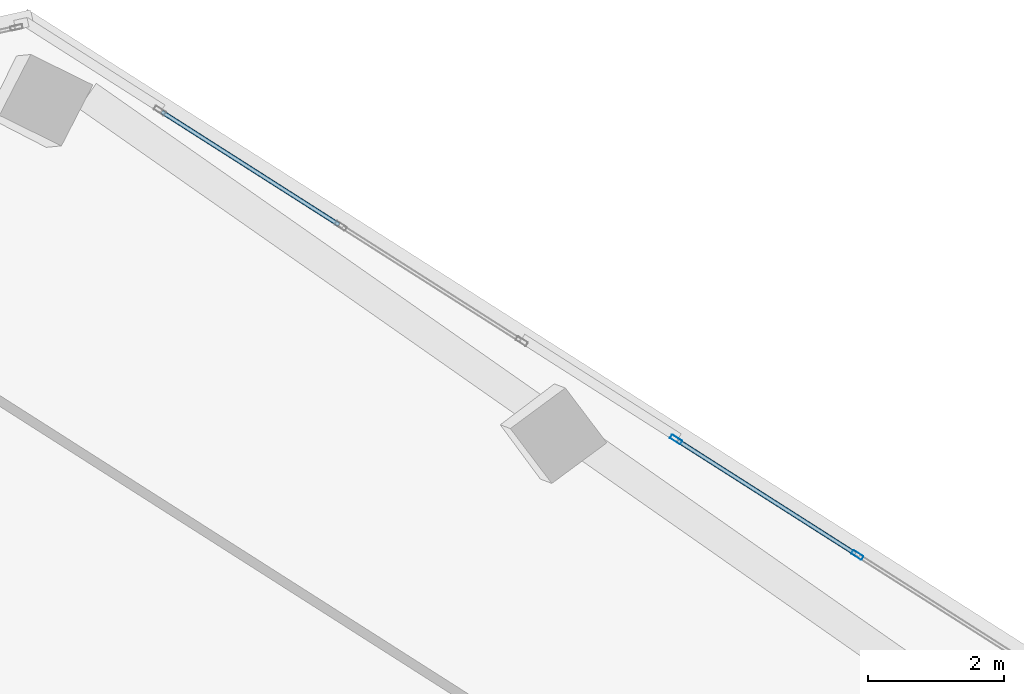
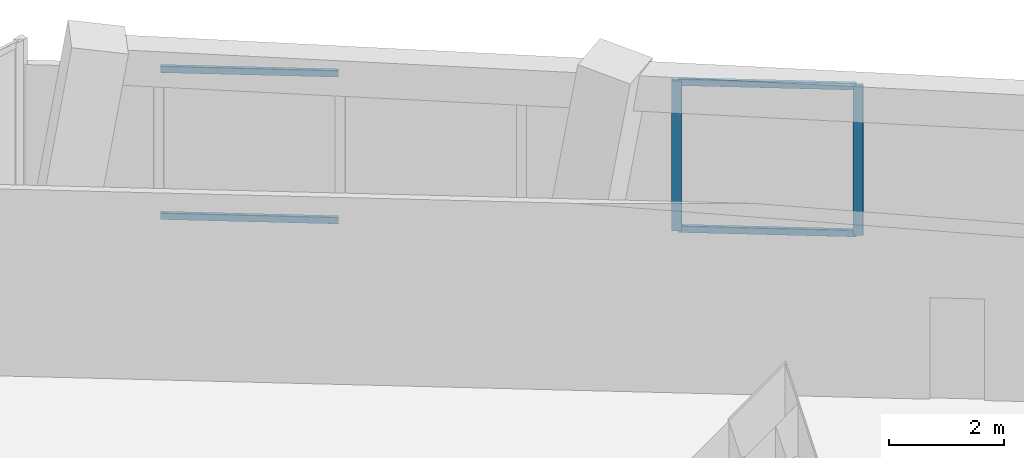
# One storey, part 14 of 24: 6 members, 2 elements without a shape of their own.
"""IFC4 building model written with IfcOpenShell, lengths in metres."""

from ifc_helpers import new_model, si_unit, direction, frame, origin, origin_2d, place, context, subcontext, project, spatial, hollow_rectangle, extrude, source, transform, mapped, material, material_profile, profile_set, type_object, element, aggregate, save


model = new_model("IFC4")

# Units and contexts
model_context = context("Model", 3, precision=1e-05, world=origin(), true_north=direction((0.0, 1.0)))
body_context = subcontext(model_context, "Body", "Model", "MODEL_VIEW")
ifc_project = project(units=[si_unit("LENGTHUNIT", "METRE"), si_unit("AREAUNIT", "SQUARE_METRE"), si_unit("VOLUMEUNIT", "CUBIC_METRE"), si_unit("PLANEANGLEUNIT", "RADIAN"), si_unit("MASSUNIT", "GRAM", prefix="KILO")], contexts=[model_context])

# Site, building, storey
site_placement = place(None, origin())
site = spatial("IfcSite", under=ifc_project, at=site_placement, CompositionType="ELEMENT")
building_placement = place(site_placement, origin())
building = spatial("IfcBuilding", under=site, at=building_placement, Name="Torre Montelarca", CompositionType="ELEMENT")
storey_placement = place(building_placement, frame((0.0, 0.0, 191.800048828125)))
storey = spatial("IfcBuildingStorey", under=building, at=storey_placement, Name="L43", CompositionType="ELEMENT", Elevation=191.800048828125)

# Curtain wall, members
ifc_material_1 = material(Name="Insulated low-E laminated glass", Category="glass")
curtain_wall_type = type_object("IfcCurtainWallType", Name="CW-SYS-Z2", PredefinedType="USERDEFINED", material=ifc_material_1)
curtain_wall_1_placement = place(storey_placement, origin())
curtain_wall_1 = element("IfcCurtainWall", 1, at=curtain_wall_1_placement, inside=storey, type_object=curtain_wall_type, Name="L43 Curtain Wall Run CW-T3-L43-E08-B3", ObjectType="UNITISED GLAZING", PredefinedType="USERDEFINED")
ifc_material_2 = material(Name="Anodised aluminium AA 6063-T6", Category="aluminium")
ifc_material_profile_1 = material_profile(ifc_material_2, hollow_rectangle(XDim=0.06494140625, YDim=0.179931640625, WallThickness=0.00390625, InnerFilletRadius=0.00390625, OuterFilletRadius=0.008056640625, at=origin_2d()), Name="ALU65X180X4", Category="aluminium")
ifc_profile_set_1 = profile_set([ifc_material_profile_1], Name="Anodised aluminium AA 6063-T6")
member_type_1 = type_object("IfcMemberType", Name="CWM-ALU180", PredefinedType="MULLION", material=ifc_profile_set_1)
shared_shape_1 = source(origin(), body_context, "Body", "SweptSolid", [
    extrude(hollow_rectangle(XDim=0.06494140625, YDim=0.179931640625, WallThickness=0.00390625, InnerFilletRadius=0.00390625, OuterFilletRadius=0.008056640625, at=origin_2d()), origin(), (0.0, 0.0, 1.0), 3.175048828125),
])
member_1_placement = place(storey_placement, frame((31.2578125, 44.837646484375, 0.0), z_axis=(0.0, 0.0, 1.0), x_axis=(-0.537297609846, -0.843392718995, 0.0)))
member_1 = element("IfcMember", 2, at=member_1_placement, type_object=member_type_1, Name="CW mullion 2", PredefinedType="MULLION", context=body_context, shape_type="MappedRepresentation", body=[
    mapped(shared_shape_1, transform((0.0, 0.0, 0.0), scale=1.0)),
])
member_2_placement = place(storey_placement, frame((28.5966796875, 46.532958984375, 0.0), z_axis=(0.0, 0.0, 1.0), x_axis=(-0.537297609846, -0.843392718995, 0.0)))
member_2 = element("IfcMember", 3, at=member_2_placement, type_object=member_type_1, Name="CW mullion 3", PredefinedType="MULLION", context=body_context, shape_type="MappedRepresentation", body=[
    mapped(shared_shape_1, transform((0.0, 0.0, 0.0), scale=1.0)),
])
ifc_material_profile_2 = material_profile(ifc_material_2, hollow_rectangle(XDim=0.06494140625, YDim=0.139892578125, WallThickness=0.00390625, InnerFilletRadius=0.00390625, OuterFilletRadius=0.008056640625, at=origin_2d()), Name="ALU65X140X4", Category="aluminium")
ifc_profile_set_2 = profile_set([ifc_material_profile_2], Name="Anodised aluminium AA 6063-T6")
member_type_2 = type_object("IfcMemberType", Name="CWT-ALU140", PredefinedType="USERDEFINED", material=ifc_profile_set_2)
shared_shape_2 = source(origin(), body_context, "Body", "SweptSolid", [
    extrude(hollow_rectangle(XDim=0.06494140625, YDim=0.139892578125, WallThickness=0.00390625, InnerFilletRadius=0.00390625, OuterFilletRadius=0.008056640625, at=origin_2d()), origin(), (0.0, 0.0, 1.0), 3.09033203125),
])
member_3_placement = place(storey_placement, frame((31.23046875, 44.85498046875, 0.032470703125), z_axis=(-0.843404408605, 0.537279260297, 0.0), x_axis=(-0.537279260297, -0.843404408605, 0.0)))
member_3 = element("IfcMember", 4, at=member_3_placement, type_object=member_type_2, Name="CW transom 2.1", ObjectType="TRANSOM", PredefinedType="USERDEFINED", context=body_context, shape_type="MappedRepresentation", body=[
    mapped(shared_shape_2, transform((0.0, 0.0, 0.0), scale=1.0)),
])
member_4_placement = place(storey_placement, frame((31.23046875, 44.85498046875, 3.142333984375), z_axis=(-0.843404408605, 0.537279260297, 0.0), x_axis=(-0.537279260297, -0.843404408605, 0.0)))
member_4 = element("IfcMember", 5, at=member_4_placement, type_object=member_type_2, Name="CW transom 2.2", ObjectType="TRANSOM", PredefinedType="USERDEFINED", context=body_context, shape_type="MappedRepresentation", body=[
    mapped(shared_shape_2, transform((0.0, 0.0, 0.0), scale=1.0)),
])
aggregate(curtain_wall_1, [member_1, member_2, member_3, member_4])

curtain_wall_2_placement = place(storey_placement, origin())
curtain_wall_2 = element("IfcCurtainWall", 6, at=curtain_wall_2_placement, inside=storey, type_object=curtain_wall_type, Name="L43 Curtain Wall Run CW-T3-L43-E08-B4", ObjectType="UNITISED GLAZING", PredefinedType="USERDEFINED")
shared_shape_3 = source(origin(), body_context, "Body", "SweptSolid", [
    extrude(hollow_rectangle(XDim=0.06494140625, YDim=0.139892578125, WallThickness=0.00390625, InnerFilletRadius=0.00390625, OuterFilletRadius=0.008056640625, at=origin_2d()), origin(), (0.0, 0.0, 1.0), 3.086181640625),
])
member_5_placement = place(storey_placement, frame((23.6435546875, 49.6884765625, 0.032470703125), z_axis=(-0.843384492904, 0.537310522072, 0.0), x_axis=(-0.537310522072, -0.843384492904, 0.0)))
member_5 = element("IfcMember", 7, at=member_5_placement, type_object=member_type_2, Name="CW transom 2.1", ObjectType="TRANSOM", PredefinedType="USERDEFINED", context=body_context, shape_type="MappedRepresentation", body=[
    mapped(shared_shape_3, transform((0.0, 0.0, 0.0), scale=1.0)),
])
member_6_placement = place(storey_placement, frame((23.6435546875, 49.6884765625, 3.142333984375), z_axis=(-0.843384492904, 0.537310522072, 0.0), x_axis=(-0.537310522072, -0.843384492904, 0.0)))
member_6 = element("IfcMember", 8, at=member_6_placement, type_object=member_type_2, Name="CW transom 2.2", ObjectType="TRANSOM", PredefinedType="USERDEFINED", context=body_context, shape_type="MappedRepresentation", body=[
    mapped(shared_shape_3, transform((0.0, 0.0, 0.0), scale=1.0)),
])
aggregate(curtain_wall_2, [member_5, member_6])

save(model, "model.ifc")
